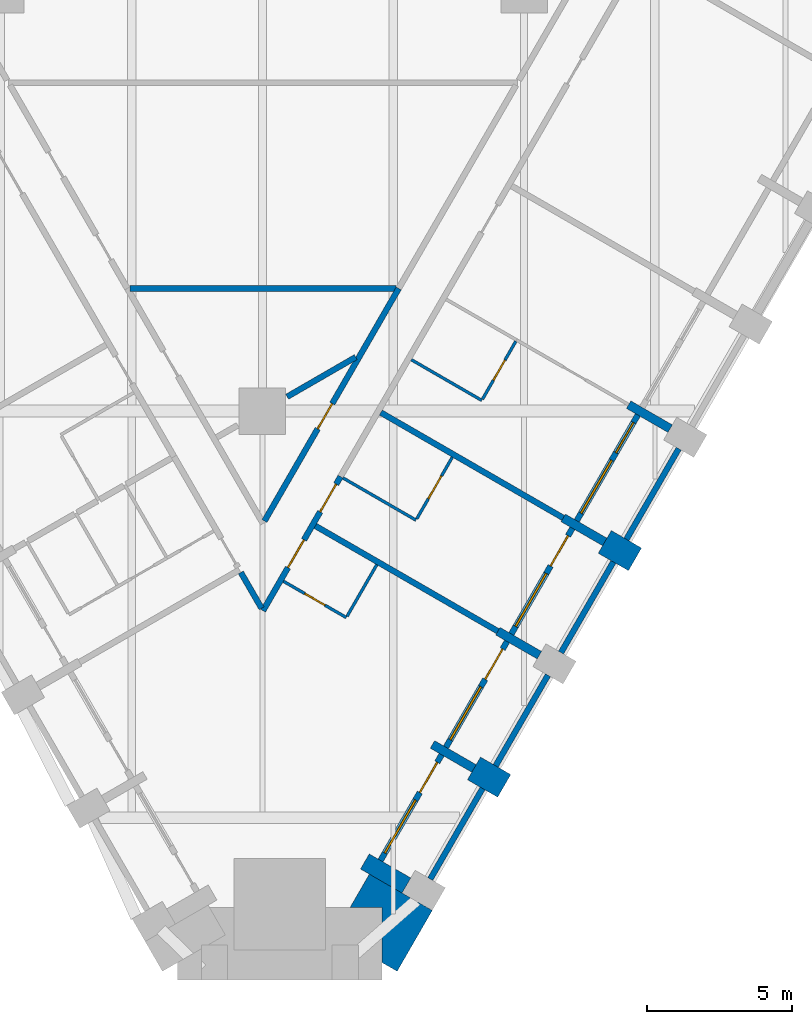
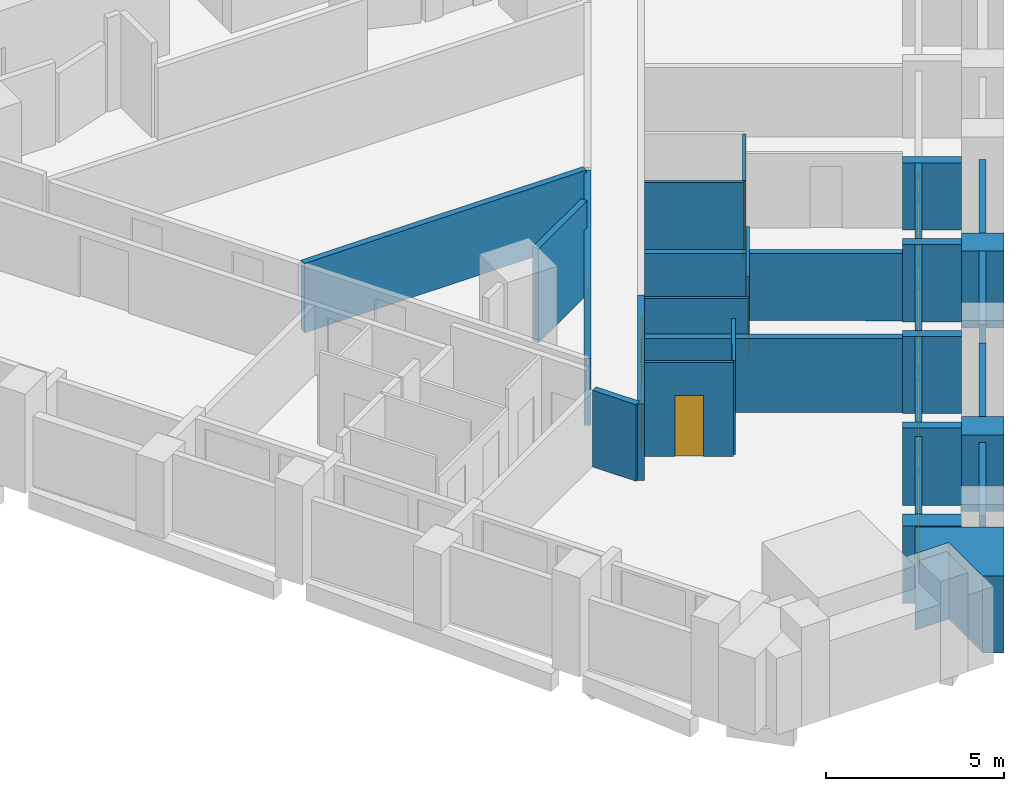
# One storey, part 4 of 10: 29 walls, 10 doors, 4 windows, 14 openings.
"""IFC4 building model written with IfcOpenShell, lengths in metres."""

from ifc_helpers import new_model, si_unit, direction, frame, frame_2d, origin, place, context, subcontext, project, spatial, polyline, rectangle, outline, extrude, material, layer, layer_set, type_object, element, fill, save


model = new_model("IFC4")

# Units and contexts
model_context = context("Model", 3, precision=1e-05, world=origin(), true_north=direction((0.0, 1.0)))
body_context = subcontext(model_context, "Body", "Model", "MODEL_VIEW")
ifc_project = project(units=[si_unit("LENGTHUNIT", "METRE"), si_unit("AREAUNIT", "SQUARE_METRE"), si_unit("VOLUMEUNIT", "CUBIC_METRE"), si_unit("PLANEANGLEUNIT", "RADIAN"), si_unit("MASSUNIT", "GRAM", prefix="KILO")], contexts=[model_context])

# Site, building, storey
site_placement = place(None, origin())
site = spatial("IfcSite", under=ifc_project, at=site_placement, CompositionType="ELEMENT")
building_placement = place(site_placement, origin())
building = spatial("IfcBuilding", under=site, at=building_placement, Name="Calabash Gate Tower", CompositionType="ELEMENT")
storey_placement = place(building_placement, frame((0.0, 0.0, 69.800048828125)))
storey = spatial("IfcBuildingStorey", under=building, at=storey_placement, Name="L13", CompositionType="ELEMENT", Elevation=69.800048828125)

# Walls
ifc_material_1 = material(Name="Terracotta brick masonry, exposed face", Category="masonry")
ifc_layer_1 = layer(ifc_material_1, 2.5)
ifc_layer_set_1 = layer_set([ifc_layer_1], Name="Brick corner mass wall 2500")
wall_type_1 = type_object("IfcWallType", Name="Brick corner mass wall 2500", PredefinedType="SOLIDWALL", material=ifc_layer_set_1)
wall_1_placement = place(storey_placement, origin())
element("IfcWall", 1, at=wall_1_placement, inside=storey, type_object=wall_type_1, Name="Brick corner pier S03 2c", PredefinedType="SOLIDWALL", context=body_context, shape_type="SweptSolid", body=[
    extrude(outline(polyline([(5.843017578125, -29.184814453125), (3.677978515625, -27.934814453125), (3.0185546875, -29.076904296875), (4.115478515625, -29.076904296875), (4.115478515625, -30.97705078125), (4.635009765625, -31.277099609375), (5.843017578125, -29.184814453125)])), origin(), (0.0, 0.0, 1.0), 2.6298828125),
])
ifc_material_2 = material(Name="Terracotta brick masonry, exposed face", Category="masonry")
ifc_layer_2 = layer(ifc_material_2, 1.199951171875)
ifc_layer_set_2 = layer_set([ifc_layer_2], Name="Brick end wall 1200")
wall_type_2 = type_object("IfcWallType", Name="Brick end wall 1200", PredefinedType="SOLIDWALL", material=ifc_layer_set_2)
for number, where, z_axis, x_axis, name in (
    (2, (7.27880859375, -24.298095703125, 0.0), (0.0, 0.0, 1.0), (0.866043267704, -0.499969057507, 0.0), "Brick pier S03 SE2.1"),
    (3, (12.81787109375, -17.103759765625, 0.0), (0.0, 0.0, 1.0), (-0.866043267704, 0.499969057507, 0.0), "Brick pier S03 SE2.3"),
):
    element("IfcWall", number, at=place(storey_placement, frame(where, z_axis=z_axis, x_axis=x_axis)), inside=storey, type_object=wall_type_2, Name=name, PredefinedType="SOLIDWALL", context=body_context, shape_type="SweptSolid", body=[
        extrude(rectangle(XDim=1.19970703125, YDim=0.89990234375, at=frame_2d((0.599853515625, 0.0))), origin(), (0.0, 0.0, 1.0), 2.6298828125),
    ])
ifc_material_3 = material(Name="Terracotta brick masonry, exposed face", Category="masonry")
ifc_layer_3 = layer(ifc_material_3, 0.300048828125)
ifc_layer_set_3 = layer_set([ifc_layer_3], Name="Brick loggia cheek wall 300")
wall_type_3 = type_object("IfcWallType", Name="Brick loggia cheek wall 300", PredefinedType="SOLIDWALL", material=ifc_layer_set_3)
wall_2_placement = place(storey_placement, frame((4.95361328125, -28.324951171875, 0.0), z_axis=(0.0, 0.0, 1.0), x_axis=(-0.866040211805, 0.499974350878, 0.0)))
element("IfcWall", 4, at=wall_2_placement, inside=storey, type_object=wall_type_3, Name="Loggia cheek S03 SE2.0", PredefinedType="SOLIDWALL", context=body_context, shape_type="SweptSolid", body=[
    extrude(rectangle(XDim=1.64990234375, YDim=0.60009765625, at=frame_2d((0.824951171875, 0.0))), origin(), (0.0, 0.0, 1.0), 2.64990234375),
])
wall_3_placement = place(storey_placement, frame((7.27880859375, -24.298095703125, 0.0), z_axis=(0.0, 0.0, 1.0), x_axis=(-0.866040211805, 0.499974350878, 0.0)))
element("IfcWall", 5, at=wall_3_placement, inside=storey, type_object=wall_type_3, Name="Loggia cheek S03 SE2.1", PredefinedType="SOLIDWALL", context=body_context, shape_type="SweptSolid", body=[
    extrude(rectangle(XDim=1.64990234375, YDim=0.300048828125, at=frame_2d((0.824951171875, 0.0))), origin(), (0.0, 0.0, 1.0), 2.64990234375),
])
wall_4_placement = place(storey_placement, frame((9.528564453125, -20.40087890625, 0.0), z_axis=(0.0, 0.0, 1.0), x_axis=(-0.866003217194, 0.500038426333, 0.0)))
element("IfcWall", 6, at=wall_4_placement, inside=storey, type_object=wall_type_3, Name="Loggia cheek S03 SE2.2", PredefinedType="SOLIDWALL", context=body_context, shape_type="SweptSolid", body=[
    extrude(rectangle(XDim=1.649658203125, YDim=0.300048828125, at=frame_2d((0.82470703125, 0.0))), origin(), (0.0, 0.0, 1.0), 2.64990234375),
])
wall_5_placement = place(storey_placement, frame((11.77880859375, -16.50390625, 0.0), z_axis=(0.0, 0.0, 1.0), x_axis=(-0.865976140824, 0.500085316245, 0.0)))
element("IfcWall", 7, at=wall_5_placement, inside=storey, type_object=wall_type_3, Name="Loggia cheek S03 SE2.3", PredefinedType="SOLIDWALL", context=body_context, shape_type="SweptSolid", body=[
    extrude(rectangle(XDim=1.650146484375, YDim=0.300048828125, at=frame_2d((0.8251953125, 0.0))), origin(), (0.0, 0.0, 1.0), 2.64990234375),
])
wall_6_placement = place(storey_placement, frame((14.028564453125, -12.606689453125, 0.0), z_axis=(0.0, 0.0, 1.0), x_axis=(-0.866003217194, 0.500038426333, 0.0)))
element("IfcWall", 8, at=wall_6_placement, inside=storey, type_object=wall_type_3, Name="Loggia cheek S03 SE2.4", PredefinedType="SOLIDWALL", context=body_context, shape_type="SweptSolid", body=[
    extrude(rectangle(XDim=1.649658203125, YDim=0.300048828125, at=frame_2d((0.82470703125, 0.0))), origin(), (0.0, 0.0, 1.0), 2.302490234375),
])
ifc_material_4 = material(Name="Gypsum board on steel studs, mineral wool", Category="steel")
ifc_layer_4 = layer(ifc_material_4, 0.10009765625)
ifc_layer_set_4 = layer_set([ifc_layer_4], Name="Partition 100 gypsum board")
wall_type_4 = type_object("IfcWallType", Name="Partition 100 gypsum board", PredefinedType="PARTITIONING", material=ifc_layer_set_4)
wall_7_placement = place(storey_placement, frame((2.911376953125, -19.0634765625, 0.0), z_axis=(0.0, 0.0, 1.0), x_axis=(0.499265284884, 0.866449176415, 0.0)))
element("IfcWall", 9, at=wall_7_placement, inside=storey, type_object=wall_type_4, Name="Partition", PredefinedType="PARTITIONING", context=body_context, shape_type="SweptSolid", body=[
    extrude(rectangle(XDim=2.0498046875, YDim=0.10009765625, at=frame_2d((1.02490234375, 0.0))), origin(), (0.0, 0.0, 1.0), 3.22998046875),
])

# Wall, opening, door
wall_8_placement = place(storey_placement, frame((0.72119140625, -17.85693359375, 0.0), z_axis=(0.0, 0.0, 1.0), x_axis=(0.866022959057, -0.500004234368, 0.0)))
wall_8 = element("IfcWall", 10, at=wall_8_placement, inside=storey, type_object=wall_type_4, Name="Partition", PredefinedType="PARTITIONING", context=body_context, shape_type="SweptSolid", body=[
    extrude(rectangle(XDim=2.5, YDim=0.10009765625, at=frame_2d((1.25, 0.0))), origin(), (0.0, 0.0, 1.0), 3.22998046875),
])
opening_1_placement = place(wall_8_placement, frame((0.85009765625, 0.0, 0.0)))
opening_1 = element("IfcOpeningElement", 11, at=opening_1_placement, cuts=wall_8, Name="Opening 12-14-014", PredefinedType="OPENING", context=body_context, shape_type="SweptSolid", body=[
    extrude(rectangle(XDim=0.800048828125, YDim=2.10009765625, at=frame_2d((0.39990234375, 1.050048828125))), frame((0.0, 0.06005859375, 0.0), z_axis=(0.0, -1.0, 0.0), x_axis=(1.0, 0.0, 0.0)), (0.0, 0.0, 1.0), 0.1201171875),
])
ifc_material_5 = material(Name="Painted timber door", Category="wood")
door_type_1 = type_object("IfcDoorType", Name="GD5 En-suite door 800x2100", OperationType="NOTDEFINED", PredefinedType="DOOR", material=ifc_material_5)
door_1_placement = place(opening_1_placement, origin())
door_1 = element("IfcDoor", 12, at=door_1_placement, inside=storey, type_object=door_type_1, Name="En-suite door", OperationType="SINGLE_SWING_LEFT", OverallHeight=2.10009765625, OverallWidth=0.800048828125, PredefinedType="DOOR", context=body_context, shape_type="SweptSolid", body=[
    extrude(rectangle(XDim=0.800048828125, YDim=2.10009765625, at=frame_2d((0.39990234375, 1.050048828125))), frame((0.0, 0.02490234375, 0.0), z_axis=(0.0, -1.0, 0.0), x_axis=(1.0, 0.0, 0.0)), (0.0, 0.0, 1.0), 0.050048828125),
])
fill(opening_1, door_1)

wall_9_placement = place(storey_placement, frame((5.3076171875, -15.712158203125, 0.0), z_axis=(0.0, 0.0, 1.0), x_axis=(0.500018594424, 0.866014668023, 0.0)))
wall_9 = element("IfcWall", 13, at=wall_9_placement, inside=storey, type_object=wall_type_4, Name="Partition", PredefinedType="PARTITIONING", context=body_context, shape_type="SweptSolid", body=[
    extrude(rectangle(XDim=2.4501953125, YDim=0.10009765625, at=frame_2d((1.22509765625, 0.0))), origin(), (0.0, 0.0, 1.0), 3.22998046875),
])
opening_2_placement = place(wall_9_placement, frame((0.800048828125, 0.0, 0.0)))
opening_2 = element("IfcOpeningElement", 14, at=opening_2_placement, cuts=wall_9, Name="Opening 12-14-005", PredefinedType="OPENING", context=body_context, shape_type="SweptSolid", body=[
    extrude(rectangle(XDim=0.89990234375, YDim=2.10009765625, at=frame_2d((0.449951171875, 1.050048828125))), frame((0.0, 0.06005859375, 0.0), z_axis=(0.0, -1.0, 0.0), x_axis=(1.0, 0.0, 0.0)), (0.0, 0.0, 1.0), 0.1201171875),
])
ifc_material_6 = material(Name="Painted timber door", Category="wood")
door_type_2 = type_object("IfcDoorType", Name="GD6 Accessible en-suite door 900x2100", OperationType="NOTDEFINED", PredefinedType="DOOR", material=ifc_material_6)
door_2_placement = place(opening_2_placement, origin())
door_2 = element("IfcDoor", 15, at=door_2_placement, inside=storey, type_object=door_type_2, Name="Accessible en-suite door", OperationType="SINGLE_SWING_LEFT", OverallHeight=2.10009765625, OverallWidth=0.89990234375, PredefinedType="DOOR", context=body_context, shape_type="SweptSolid", body=[
    extrude(rectangle(XDim=0.89990234375, YDim=2.10009765625, at=frame_2d((0.449951171875, 1.050048828125))), frame((0.0, 0.02490234375, 0.0), z_axis=(0.0, -1.0, 0.0), x_axis=(1.0, 0.0, 0.0)), (0.0, 0.0, 1.0), 0.050048828125),
])
fill(opening_2, door_2)

# Wall
wall_10_placement = place(storey_placement, frame((2.772216796875, -14.30419921875, 0.0), z_axis=(0.0, 0.0, 1.0), x_axis=(0.865729701078, -0.500511822708, 0.0)))
element("IfcWall", 16, at=wall_10_placement, inside=storey, type_object=wall_type_4, Name="Partition", PredefinedType="PARTITIONING", context=body_context, shape_type="SweptSolid", body=[
    extrude(rectangle(XDim=2.89990234375, YDim=0.10009765625, at=frame_2d((1.449951171875, 0.0))), origin(), (0.0, 0.0, 1.0), 2.5517578125),
])

# Wall, opening, door
wall_11_placement = place(storey_placement, frame((7.57080078125, -11.591796875, 0.0), z_axis=(0.0, 0.0, 1.0), x_axis=(0.499418922955, 0.86636062895, 0.0)))
wall_11 = element("IfcWall", 17, at=wall_11_placement, inside=storey, type_object=wall_type_4, Name="Partition", PredefinedType="PARTITIONING", context=body_context, shape_type="SweptSolid", body=[
    extrude(rectangle(XDim=2.298095703125, YDim=0.10009765625, at=frame_2d((1.14892578125, 0.0))), origin(), (0.0, 0.0, 1.0), 3.22998046875),
])
opening_3_placement = place(wall_11_placement, frame((0.75, 0.0, 0.0)))
opening_3 = element("IfcOpeningElement", 18, at=opening_3_placement, cuts=wall_11, Name="Opening 12-14-008", PredefinedType="OPENING", context=body_context, shape_type="SweptSolid", body=[
    extrude(rectangle(XDim=0.800048828125, YDim=2.10009765625, at=frame_2d((0.39990234375, 1.050048828125))), frame((0.0, 0.06005859375, 0.0), z_axis=(0.0, -1.0, 0.0), x_axis=(1.0, 0.0, 0.0)), (0.0, 0.0, 1.0), 0.1201171875),
])
door_3_placement = place(opening_3_placement, origin())
door_3 = element("IfcDoor", 19, at=door_3_placement, inside=storey, type_object=door_type_1, Name="En-suite door", OperationType="SINGLE_SWING_LEFT", OverallHeight=2.10009765625, OverallWidth=0.800048828125, PredefinedType="DOOR", context=body_context, shape_type="SweptSolid", body=[
    extrude(rectangle(XDim=0.800048828125, YDim=2.10009765625, at=frame_2d((0.39990234375, 1.050048828125))), frame((0.0, 0.02490234375, 0.0), z_axis=(0.0, -1.0, 0.0), x_axis=(1.0, 0.0, 0.0)), (0.0, 0.0, 1.0), 0.050048828125),
])
fill(opening_3, door_3)

# Wall
wall_12_placement = place(storey_placement, frame((5.1220703125, -10.23388671875, 0.0), z_axis=(0.0, 0.0, 1.0), x_axis=(0.86575844616, -0.500462099367, 0.0)))
element("IfcWall", 20, at=wall_12_placement, inside=storey, type_object=wall_type_4, Name="Partition", PredefinedType="PARTITIONING", context=body_context, shape_type="SweptSolid", body=[
    extrude(rectangle(XDim=2.799560546875, YDim=0.10009765625, at=frame_2d((1.39990234375, 0.0))), origin(), (0.0, 0.0, 1.0), 3.22998046875),
])

# Wall, openings, doors
ifc_material_7 = material(Name="Gypsum board on steel studs, mineral wool", Category="steel")
ifc_layer_5 = layer(ifc_material_7, 0.199951171875)
ifc_layer_set_5 = layer_set([ifc_layer_5], Name="Partition 200 gypsum board EI 60")
wall_type_5 = type_object("IfcWallType", Name="Partition 200 gypsum board EI 60", PredefinedType="PARTITIONING", material=ifc_layer_set_5)
wall_13_placement = place(storey_placement, frame((0.01953125, -18.8720703125, 0.0), z_axis=(0.0, 0.0, 1.0), x_axis=(0.500389767685, 0.865800254329, 0.0)))
wall_13 = element("IfcWall", 21, at=wall_13_placement, inside=storey, type_object=wall_type_5, Name="Partition", PredefinedType="PARTITIONING", context=body_context, shape_type="SweptSolid", body=[
    extrude(rectangle(XDim=5.330322265625, YDim=0.199951171875, at=frame_2d((2.6650390625, 0.0))), origin(), (0.0, 0.0, 1.0), 2.6279296875),
])
opening_4_placement = place(wall_13_placement, frame((3.9306640625, 0.0, 0.0)))
opening_4 = element("IfcOpeningElement", 22, at=opening_4_placement, cuts=wall_13, Name="Opening 12-14-004", PredefinedType="OPENING", context=body_context, shape_type="SweptSolid", body=[
    extrude(rectangle(XDim=1.10009765625, YDim=2.10009765625, at=frame_2d((0.550048828125, 1.050048828125))), frame((0.0, 0.10986328125, 0.0), z_axis=(0.0, -1.0, 0.0), x_axis=(1.0, 0.0, 0.0)), (0.0, 0.0, 1.0), 0.219970703125),
])
opening_5_placement = place(wall_13_placement, frame((1.715087890625, 0.0, 0.0)))
opening_5 = element("IfcOpeningElement", 23, at=opening_5_placement, cuts=wall_13, Name="Opening 12-14-024", PredefinedType="OPENING", context=body_context, shape_type="SweptSolid", body=[
    extrude(rectangle(XDim=1.10009765625, YDim=2.10009765625, at=frame_2d((0.550048828125, 1.050048828125))), frame((0.0, 0.10986328125, 0.0), z_axis=(0.0, -1.0, 0.0), x_axis=(1.0, 0.0, 0.0)), (0.0, 0.0, 1.0), 0.219970703125),
])
ifc_material_8 = material(Name="Steel fire door set with fire-resisting glazing", Category="steel")
door_type_3 = type_object("IfcDoorType", Name="GD2 Accessible guest room entrance door 1100x2100", OperationType="NOTDEFINED", PredefinedType="DOOR", material=ifc_material_8)
door_4_placement = place(opening_4_placement, origin())
door_4 = element("IfcDoor", 24, at=door_4_placement, inside=storey, type_object=door_type_3, Name="Accessible guest room entrance door", OperationType="SINGLE_SWING_RIGHT", OverallHeight=2.10009765625, OverallWidth=1.10009765625, PredefinedType="DOOR", context=body_context, shape_type="SweptSolid", body=[
    extrude(rectangle(XDim=1.10009765625, YDim=2.10009765625, at=frame_2d((0.550048828125, 1.050048828125))), frame((0.0, 0.02490234375, 0.0), z_axis=(0.0, -1.0, 0.0), x_axis=(1.0, 0.0, 0.0)), (0.0, 0.0, 1.0), 0.050048828125),
])
fill(opening_4, door_4)
ifc_material_9 = material(Name="Steel fire door set with fire-resisting glazing", Category="steel")
door_type_4 = type_object("IfcDoorType", Name="GD3 Suite entrance door 1100x2100", OperationType="NOTDEFINED", PredefinedType="DOOR", material=ifc_material_9)
door_5_placement = place(opening_5_placement, origin())
door_5 = element("IfcDoor", 25, at=door_5_placement, inside=storey, type_object=door_type_4, Name="Suite entrance door", OperationType="SINGLE_SWING_RIGHT", OverallHeight=2.10009765625, OverallWidth=1.10009765625, PredefinedType="DOOR", context=body_context, shape_type="SweptSolid", body=[
    extrude(rectangle(XDim=1.10009765625, YDim=2.10009765625, at=frame_2d((0.550048828125, 1.050048828125))), frame((0.0, 0.02490234375, 0.0), z_axis=(0.0, -1.0, 0.0), x_axis=(1.0, 0.0, 0.0)), (0.0, 0.0, 1.0), 0.050048828125),
])
fill(opening_5, door_5)

# Walls
wall_14_placement = place(storey_placement, frame((-0.742919921875, -17.55517578125, 0.0), z_axis=(0.0, 0.0, 1.0), x_axis=(0.501049807784, -0.865418447989, 0.0)))
element("IfcWall", 26, at=wall_14_placement, inside=storey, type_object=wall_type_5, Name="Partition", PredefinedType="PARTITIONING", context=body_context, shape_type="SweptSolid", body=[
    extrude(rectangle(XDim=1.421875, YDim=0.199951171875, at=frame_2d((0.7109375, 0.0))), origin(), (0.0, 0.0, 1.0), 2.6279296875),
])
wall_15_placement = place(storey_placement, frame((1.82177734375, -15.95361328125, 0.0), z_axis=(0.0, 0.0, 1.0), x_axis=(0.866029090493, -0.499993614378, 0.0)))
element("IfcWall", 27, at=wall_15_placement, inside=storey, type_object=wall_type_5, Name="Partition", PredefinedType="PARTITIONING", context=body_context, shape_type="SweptSolid", body=[
    extrude(rectangle(XDim=7.248046875, YDim=0.199951171875, at=frame_2d((3.6240234375, 0.0))), origin(), (0.0, 0.0, 1.0), 2.5517578125),
])

# Wall, opening, door
wall_16_placement = place(storey_placement, frame((0.0693359375, -15.78466796875, 0.0), z_axis=(0.0, 0.0, 1.0), x_axis=(0.499998459685, 0.866026293084, 0.0)))
wall_16 = element("IfcWall", 28, at=wall_16_placement, inside=storey, type_object=wall_type_5, Name="Partition", PredefinedType="PARTITIONING", context=body_context, shape_type="SweptSolid", body=[
    extrude(rectangle(XDim=9.2392578125, YDim=0.199951171875, at=frame_2d((4.61962890625, 0.0))), origin(), (0.0, 0.0, 1.0), 2.302490234375),
])
opening_6_placement = place(wall_16_placement, frame((3.6630859375, 0.0, 0.0)))
opening_6 = element("IfcOpeningElement", 29, at=opening_6_placement, cuts=wall_16, Name="Opening 12-14-012", PredefinedType="OPENING", context=body_context, shape_type="SweptSolid", body=[
    extrude(rectangle(XDim=1.0, YDim=2.10009765625, at=frame_2d((0.5, 1.050048828125))), frame((0.0, 0.10986328125, 0.0), z_axis=(0.0, -1.0, 0.0), x_axis=(1.0, 0.0, 0.0)), (0.0, 0.0, 1.0), 0.219970703125),
])
ifc_material_10 = material(Name="Steel fire door set with fire-resisting glazing", Category="steel")
door_type_5 = type_object("IfcDoorType", Name="LD2 Meeting room door 1000x2100", OperationType="NOTDEFINED", PredefinedType="DOOR", material=ifc_material_10)
door_6_placement = place(opening_6_placement, origin())
door_6 = element("IfcDoor", 30, at=door_6_placement, inside=storey, type_object=door_type_5, Name="Meeting room door", OperationType="SINGLE_SWING_LEFT", OverallHeight=2.10009765625, OverallWidth=1.0, PredefinedType="DOOR", context=body_context, shape_type="SweptSolid", body=[
    extrude(rectangle(XDim=1.0, YDim=2.10009765625, at=frame_2d((0.5, 1.050048828125))), frame((0.0, 0.02490234375, 0.0), z_axis=(0.0, -1.0, 0.0), x_axis=(1.0, 0.0, 0.0)), (0.0, 0.0, 1.0), 0.050048828125),
])
fill(opening_6, door_6)

# Walls
wall_17_placement = place(storey_placement, frame((4.072265625, -12.05224609375, 0.0), z_axis=(0.0, 0.0, 1.0), x_axis=(0.865900080757, -0.500217003055, 0.0)))
element("IfcWall", 31, at=wall_17_placement, inside=storey, type_object=wall_type_5, Name="Partition", PredefinedType="PARTITIONING", context=body_context, shape_type="SweptSolid", body=[
    extrude(rectangle(XDim=7.249755859375, YDim=0.199951171875, at=frame_2d((3.625, 0.0))), origin(), (0.0, 0.0, 1.0), 2.302490234375),
])
wall_18_placement = place(storey_placement, frame((0.85009765625, -11.509033203125, 0.0), z_axis=(0.0, 0.0, 1.0), x_axis=(0.865994487098, 0.500053545449, 0.0)))
element("IfcWall", 32, at=wall_18_placement, inside=storey, type_object=wall_type_5, Name="Partition", PredefinedType="PARTITIONING", context=body_context, shape_type="SweptSolid", body=[
    extrude(rectangle(XDim=2.723388671875, YDim=0.199951171875, at=frame_2d((1.36181640625, 0.0))), origin(), (0.0, 0.0, 1.0), 3.22998046875),
])
wall_19_placement = place(storey_placement, frame((-4.5498046875, -7.783935546875, 0.0), z_axis=(0.0, 0.0, 1.0), x_axis=(1.0, 0.0, 0.0)))
element("IfcWall", 33, at=wall_19_placement, inside=storey, type_object=wall_type_5, Name="Partition", PredefinedType="PARTITIONING", context=body_context, shape_type="SweptSolid", body=[
    extrude(rectangle(XDim=9.13818359375, YDim=0.199951171875, at=frame_2d((4.569091796875, 0.0))), origin(), (0.0, 0.0, 1.0), 2.384033203125),
])
ifc_material_11 = material(Name="Terracotta brick masonry, perforated", Category="masonry")
ifc_layer_6 = layer(ifc_material_11, 0.199951171875)
ifc_layer_set_6 = layer_set([ifc_layer_6], Name="Terracotta jaali screen A")
wall_type_6 = type_object("IfcWallType", Name="Terracotta jaali screen A", PredefinedType="SOLIDWALL", material=ifc_layer_set_6)
wall_20_placement = place(storey_placement, origin())
element("IfcWall", 34, at=wall_20_placement, inside=storey, type_object=wall_type_6, Name="SCREEN A S03 SE2.1", PredefinedType="SOLIDWALL", context=body_context, shape_type="SweptSolid", body=[
    extrude(outline(polyline([(7.48681640625, -24.937744140625), (5.6875, -28.053955078125), (5.86083984375, -28.154052734375), (7.659912109375, -25.037841796875), (7.48681640625, -24.937744140625)])), origin(), (0.0, 0.0, 1.0), 2.3740234375),
])
for number, where, z_axis, x_axis, name in (
    (35, (8.0234375, -24.208251953125, 0.0), (0.0, 0.0, 1.0), (0.499961193289, 0.866047807691, 0.0), "SCREEN A S03 SE2.2"),
    (36, (10.2734375, -20.311279296875, 0.0), (0.0, 0.0, 1.0), (0.499961193289, 0.866047807691, 0.0), "SCREEN A S03 SE2.3"),
    (37, (12.5234375, -16.4140625, 0.0), (0.0, 0.0, 1.0), (0.499961193289, 0.866047807691, 0.0), "SCREEN A S03 SE2.4"),
):
    element("IfcWall", number, at=place(storey_placement, frame(where, z_axis=z_axis, x_axis=x_axis)), inside=storey, type_object=wall_type_6, Name=name, PredefinedType="SOLIDWALL", context=body_context, shape_type="SweptSolid", body=[
        extrude(rectangle(XDim=3.599853515625, YDim=0.199951171875, at=frame_2d((1.7998046875, 0.0))), origin(), (0.0, 0.0, 1.0), 2.6298828125),
    ])

# Wall, openings, door, window
ifc_material_12 = material(Name="Aluminium framed window wall with insulated spandrel", Category="aluminium")
ifc_layer_7 = layer(ifc_material_12, 0.199951171875)
ifc_layer_set_7 = layer_set([ifc_layer_7], Name="Window wall 200")
wall_type_7 = type_object("IfcWallType", Name="Window wall 200", PredefinedType="ELEMENTEDWALL", material=ifc_layer_set_7)
wall_21_placement = place(storey_placement, frame((4.064453125, -27.46533203125, 0.0), z_axis=(0.0, 0.0, 1.0), x_axis=(0.500002543286, 0.866023935413, 0.0)))
wall_21 = element("IfcWall", 38, at=wall_21_placement, inside=storey, type_object=wall_type_7, Name="Window wall S03 SE2.1", PredefinedType="ELEMENTEDWALL", context=body_context, shape_type="SweptSolid", body=[
    extrude(rectangle(XDim=4.2001953125, YDim=0.199951171875, at=frame_2d((2.10009765625, 0.0))), origin(), (0.0, 0.0, 1.0), 2.3740234375),
])
opening_7_placement = place(wall_21_placement, frame((0.300048828125, 0.0, 0.60009765625)))
opening_7 = element("IfcOpeningElement", 39, at=opening_7_placement, cuts=wall_21, Name="Opening HW1L-1670", PredefinedType="OPENING", context=body_context, shape_type="SweptSolid", body=[
    extrude(rectangle(XDim=2.10009765625, YDim=1.669921875, at=frame_2d((1.050048828125, 0.8349609375))), frame((0.0, 0.10986328125, 0.0), z_axis=(0.0, -1.0, 0.0), x_axis=(1.0, 0.0, 0.0)), (0.0, 0.0, 1.0), 0.219970703125),
])
opening_8_placement = place(wall_21_placement, frame((2.699951171875, 0.0, 0.0)))
opening_8 = element("IfcOpeningElement", 40, at=opening_8_placement, cuts=wall_21, Name="Opening H3-020", PredefinedType="OPENING", context=body_context, shape_type="SweptSolid", body=[
    extrude(rectangle(XDim=1.199951171875, YDim=2.27001953125, at=frame_2d((0.60009765625, 1.135009765625))), frame((0.0, 0.10986328125, 0.0), z_axis=(0.0, -1.0, 0.0), x_axis=(1.0, 0.0, 0.0)), (0.0, 0.0, 1.0), 0.219970703125),
])
ifc_material_13 = material(Name="Anodised aluminium frame, bronze finish, impact-rated laminated clear glazing", Category="aluminium")
door_type_6 = type_object("IfcDoorType", Name="Loggia door DH1L-2270 1200x2270", OperationType="SLIDING_TO_LEFT", PredefinedType="DOOR", material=ifc_material_13)
door_7_placement = place(opening_8_placement, origin())
door_7 = element("IfcDoor", 41, at=door_7_placement, inside=storey, type_object=door_type_6, Name="Loggia door S03 SE2.1", OperationType="SINGLE_SWING_LEFT", OverallHeight=2.27001953125, OverallWidth=1.199951171875, PredefinedType="DOOR", context=body_context, shape_type="SweptSolid", body=[
    extrude(rectangle(XDim=1.199951171875, YDim=2.27001953125, at=frame_2d((0.60009765625, 1.135009765625))), frame((0.0, 0.02490234375, 0.0), z_axis=(0.0, -1.0, 0.0), x_axis=(1.0, 0.0, 0.0)), (0.0, 0.0, 1.0), 0.050048828125),
])
fill(opening_8, door_7)
ifc_material_14 = material(Name="Anodised aluminium frame, bronze finish, impact-rated laminated clear glazing", Category="aluminium")
window_type_1 = type_object("IfcWindowType", Name="Window HW1L 2100x1670", PartitioningType="DOUBLE_PANEL_VERTICAL", PredefinedType="WINDOW", material=ifc_material_14)
window_1_placement = place(opening_7_placement, origin())
window_1 = element("IfcWindow", 42, at=window_1_placement, inside=storey, type_object=window_type_1, Name="Window HW1 S03 SE2.1", OverallHeight=1.669921875, OverallWidth=2.10009765625, PartitioningType="SINGLE_PANEL", PredefinedType="WINDOW", context=body_context, shape_type="SweptSolid", body=[
    extrude(rectangle(XDim=2.10009765625, YDim=1.669921875, at=frame_2d((1.050048828125, 0.8349609375))), frame((0.0, 0.030029296875, 0.0), z_axis=(0.0, -1.0, 0.0), x_axis=(1.0, 0.0, 0.0)), (0.0, 0.0, 1.0), 0.06005859375),
])
fill(opening_7, window_1)

wall_22_placement = place(storey_placement, frame((6.314453125, -23.568115234375, 0.0), z_axis=(0.0, 0.0, 1.0), x_axis=(0.500027713859, 0.866009402589, 0.0)))
wall_22 = element("IfcWall", 43, at=wall_22_placement, inside=storey, type_object=wall_type_7, Name="Window wall S03 SE2.2", PredefinedType="ELEMENTEDWALL", context=body_context, shape_type="SweptSolid", body=[
    extrude(rectangle(XDim=4.199951171875, YDim=0.199951171875, at=frame_2d((2.10009765625, 0.0))), origin(), (0.0, 0.0, 1.0), 2.64990234375),
])
opening_9_placement = place(wall_22_placement, frame((0.300048828125, 0.0, 0.60009765625)))
opening_9 = element("IfcOpeningElement", 44, at=opening_9_placement, cuts=wall_22, Name="Opening HW1", PredefinedType="OPENING", context=body_context, shape_type="SweptSolid", body=[
    extrude(rectangle(XDim=2.10009765625, YDim=1.800048828125, at=frame_2d((1.050048828125, 0.89990234375))), frame((0.0, 0.10986328125, 0.0), z_axis=(0.0, -1.0, 0.0), x_axis=(1.0, 0.0, 0.0)), (0.0, 0.0, 1.0), 0.219970703125),
])
opening_10_placement = place(wall_22_placement, frame((2.699951171875, 0.0, 0.0)))
opening_10 = element("IfcOpeningElement", 45, at=opening_10_placement, cuts=wall_22, Name="Opening H3-021", PredefinedType="OPENING", context=body_context, shape_type="SweptSolid", body=[
    extrude(rectangle(XDim=1.199951171875, YDim=2.39990234375, at=frame_2d((0.60009765625, 1.199951171875))), frame((0.0, 0.10986328125, 0.0), z_axis=(0.0, -1.0, 0.0), x_axis=(1.0, 0.0, 0.0)), (0.0, 0.0, 1.0), 0.219970703125),
])
ifc_material_15 = material(Name="Anodised aluminium frame, bronze finish, impact-rated laminated clear glazing", Category="aluminium")
door_type_7 = type_object("IfcDoorType", Name="Loggia door DH1 1200x2400", OperationType="SLIDING_TO_LEFT", PredefinedType="DOOR", material=ifc_material_15)
door_8_placement = place(opening_10_placement, origin())
door_8 = element("IfcDoor", 46, at=door_8_placement, inside=storey, type_object=door_type_7, Name="Loggia door S03 SE2.2", OperationType="SINGLE_SWING_LEFT", OverallHeight=2.39990234375, OverallWidth=1.199951171875, PredefinedType="DOOR", context=body_context, shape_type="SweptSolid", body=[
    extrude(rectangle(XDim=1.199951171875, YDim=2.39990234375, at=frame_2d((0.60009765625, 1.199951171875))), frame((0.0, 0.02490234375, 0.0), z_axis=(0.0, -1.0, 0.0), x_axis=(1.0, 0.0, 0.0)), (0.0, 0.0, 1.0), 0.050048828125),
])
fill(opening_10, door_8)
ifc_material_16 = material(Name="Anodised aluminium frame, bronze finish, impact-rated laminated clear glazing", Category="aluminium")
window_type_2 = type_object("IfcWindowType", Name="Window HW1 2100x1800", PartitioningType="DOUBLE_PANEL_VERTICAL", PredefinedType="WINDOW", material=ifc_material_16)
window_2_placement = place(opening_9_placement, origin())
window_2 = element("IfcWindow", 47, at=window_2_placement, inside=storey, type_object=window_type_2, Name="Window HW1 S03 SE2.2", OverallHeight=1.800048828125, OverallWidth=2.10009765625, PartitioningType="SINGLE_PANEL", PredefinedType="WINDOW", context=body_context, shape_type="SweptSolid", body=[
    extrude(rectangle(XDim=2.10009765625, YDim=1.800048828125, at=frame_2d((1.050048828125, 0.89990234375))), frame((0.0, 0.030029296875, 0.0), z_axis=(0.0, -1.0, 0.0), x_axis=(1.0, 0.0, 0.0)), (0.0, 0.0, 1.0), 0.06005859375),
])
fill(opening_9, window_2)

wall_23_placement = place(storey_placement, frame((8.564453125, -19.6708984375, 0.0), z_axis=(0.0, 0.0, 1.0), x_axis=(0.500027713859, 0.866009402589, 0.0)))
wall_23 = element("IfcWall", 48, at=wall_23_placement, inside=storey, type_object=wall_type_7, Name="Window wall S03 SE2.3", PredefinedType="ELEMENTEDWALL", context=body_context, shape_type="SweptSolid", body=[
    extrude(rectangle(XDim=4.199951171875, YDim=0.199951171875, at=frame_2d((2.10009765625, 0.0))), origin(), (0.0, 0.0, 1.0), 2.64990234375),
])
opening_11_placement = place(wall_23_placement, frame((0.300048828125, 0.0, 0.60009765625)))
opening_11 = element("IfcOpeningElement", 49, at=opening_11_placement, cuts=wall_23, Name="Opening HW1", PredefinedType="OPENING", context=body_context, shape_type="SweptSolid", body=[
    extrude(rectangle(XDim=2.10009765625, YDim=1.800048828125, at=frame_2d((1.050048828125, 0.89990234375))), frame((0.0, 0.10986328125, 0.0), z_axis=(0.0, -1.0, 0.0), x_axis=(1.0, 0.0, 0.0)), (0.0, 0.0, 1.0), 0.219970703125),
])
opening_12_placement = place(wall_23_placement, frame((2.699951171875, 0.0, 0.0)))
opening_12 = element("IfcOpeningElement", 50, at=opening_12_placement, cuts=wall_23, Name="Opening H3-022", PredefinedType="OPENING", context=body_context, shape_type="SweptSolid", body=[
    extrude(rectangle(XDim=1.199951171875, YDim=2.39990234375, at=frame_2d((0.60009765625, 1.199951171875))), frame((0.0, 0.10986328125, 0.0), z_axis=(0.0, -1.0, 0.0), x_axis=(1.0, 0.0, 0.0)), (0.0, 0.0, 1.0), 0.219970703125),
])
door_9_placement = place(opening_12_placement, origin())
door_9 = element("IfcDoor", 51, at=door_9_placement, inside=storey, type_object=door_type_7, Name="Loggia door S03 SE2.3", OperationType="SINGLE_SWING_LEFT", OverallHeight=2.39990234375, OverallWidth=1.199951171875, PredefinedType="DOOR", context=body_context, shape_type="SweptSolid", body=[
    extrude(rectangle(XDim=1.199951171875, YDim=2.39990234375, at=frame_2d((0.60009765625, 1.199951171875))), frame((0.0, 0.02490234375, 0.0), z_axis=(0.0, -1.0, 0.0), x_axis=(1.0, 0.0, 0.0)), (0.0, 0.0, 1.0), 0.050048828125),
])
fill(opening_12, door_9)
window_3_placement = place(opening_11_placement, origin())
window_3 = element("IfcWindow", 52, at=window_3_placement, inside=storey, type_object=window_type_2, Name="Window HW1 S03 SE2.3", OverallHeight=1.800048828125, OverallWidth=2.10009765625, PartitioningType="SINGLE_PANEL", PredefinedType="WINDOW", context=body_context, shape_type="SweptSolid", body=[
    extrude(rectangle(XDim=2.10009765625, YDim=1.800048828125, at=frame_2d((1.050048828125, 0.89990234375))), frame((0.0, 0.030029296875, 0.0), z_axis=(0.0, -1.0, 0.0), x_axis=(1.0, 0.0, 0.0)), (0.0, 0.0, 1.0), 0.06005859375),
])
fill(opening_11, window_3)

wall_24_placement = place(storey_placement, frame((10.814453125, -15.77392578125, 0.0), z_axis=(0.0, 0.0, 1.0), x_axis=(0.500002543286, 0.866023935413, 0.0)))
wall_24 = element("IfcWall", 53, at=wall_24_placement, inside=storey, type_object=wall_type_7, Name="Window wall S03 SE2.4", PredefinedType="ELEMENTEDWALL", context=body_context, shape_type="SweptSolid", body=[
    extrude(rectangle(XDim=4.2001953125, YDim=0.199951171875, at=frame_2d((2.10009765625, 0.0))), origin(), (0.0, 0.0, 1.0), 2.302490234375),
])
opening_13_placement = place(wall_24_placement, frame((0.300048828125, 0.0, 0.60009765625)))
opening_13 = element("IfcOpeningElement", 54, at=opening_13_placement, cuts=wall_24, Name="Opening HW1L-1600", PredefinedType="OPENING", context=body_context, shape_type="SweptSolid", body=[
    extrude(rectangle(XDim=2.10009765625, YDim=1.60009765625, at=frame_2d((1.050048828125, 0.800048828125))), frame((0.0, 0.10986328125, 0.0), z_axis=(0.0, -1.0, 0.0), x_axis=(1.0, 0.0, 0.0)), (0.0, 0.0, 1.0), 0.219970703125),
])
opening_14_placement = place(wall_24_placement, frame((2.699951171875, 0.0, 0.0)))
opening_14 = element("IfcOpeningElement", 55, at=opening_14_placement, cuts=wall_24, Name="Opening H3-023", PredefinedType="OPENING", context=body_context, shape_type="SweptSolid", body=[
    extrude(rectangle(XDim=1.199951171875, YDim=2.199951171875, at=frame_2d((0.60009765625, 1.10009765625))), frame((0.0, 0.10986328125, 0.0), z_axis=(0.0, -1.0, 0.0), x_axis=(1.0, 0.0, 0.0)), (0.0, 0.0, 1.0), 0.219970703125),
])
ifc_material_17 = material(Name="Anodised aluminium frame, bronze finish, impact-rated laminated clear glazing", Category="aluminium")
door_type_8 = type_object("IfcDoorType", Name="Loggia door DH1L-2200 1200x2200", OperationType="SLIDING_TO_LEFT", PredefinedType="DOOR", material=ifc_material_17)
door_10_placement = place(opening_14_placement, origin())
door_10 = element("IfcDoor", 56, at=door_10_placement, inside=storey, type_object=door_type_8, Name="Loggia door S03 SE2.4", OperationType="SINGLE_SWING_LEFT", OverallHeight=2.199951171875, OverallWidth=1.199951171875, PredefinedType="DOOR", context=body_context, shape_type="SweptSolid", body=[
    extrude(rectangle(XDim=1.199951171875, YDim=2.199951171875, at=frame_2d((0.60009765625, 1.10009765625))), frame((0.0, 0.02490234375, 0.0), z_axis=(0.0, -1.0, 0.0), x_axis=(1.0, 0.0, 0.0)), (0.0, 0.0, 1.0), 0.050048828125),
])
fill(opening_14, door_10)
ifc_material_18 = material(Name="Anodised aluminium frame, bronze finish, impact-rated laminated clear glazing", Category="aluminium")
window_type_3 = type_object("IfcWindowType", Name="Window HW1L 2100x1600", PartitioningType="DOUBLE_PANEL_VERTICAL", PredefinedType="WINDOW", material=ifc_material_18)
window_4_placement = place(opening_13_placement, origin())
window_4 = element("IfcWindow", 57, at=window_4_placement, inside=storey, type_object=window_type_3, Name="Window HW1 S03 SE2.4", OverallHeight=1.60009765625, OverallWidth=2.10009765625, PartitioningType="SINGLE_PANEL", PredefinedType="WINDOW", context=body_context, shape_type="SweptSolid", body=[
    extrude(rectangle(XDim=2.10009765625, YDim=1.60009765625, at=frame_2d((1.050048828125, 0.800048828125))), frame((0.0, 0.030029296875, 0.0), z_axis=(0.0, -1.0, 0.0), x_axis=(1.0, 0.0, 0.0)), (0.0, 0.0, 1.0), 0.06005859375),
])
fill(opening_13, window_4)

save(model, "model.ifc")
